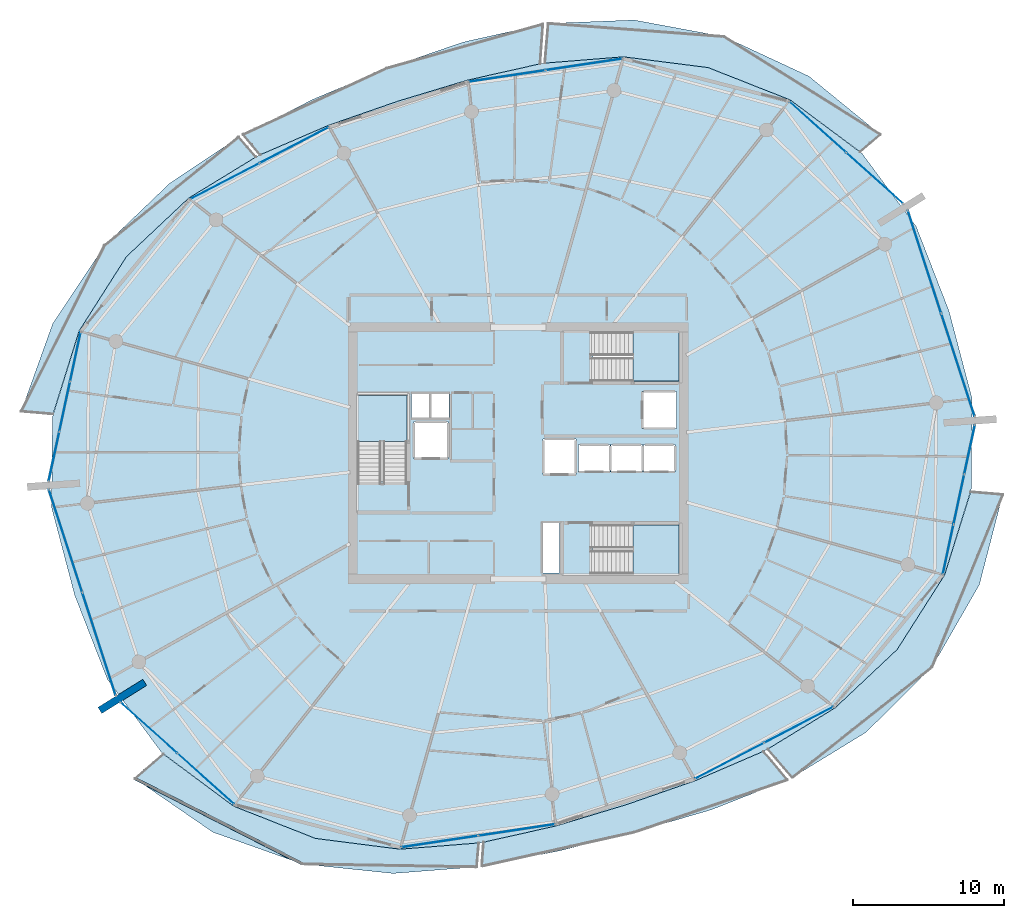
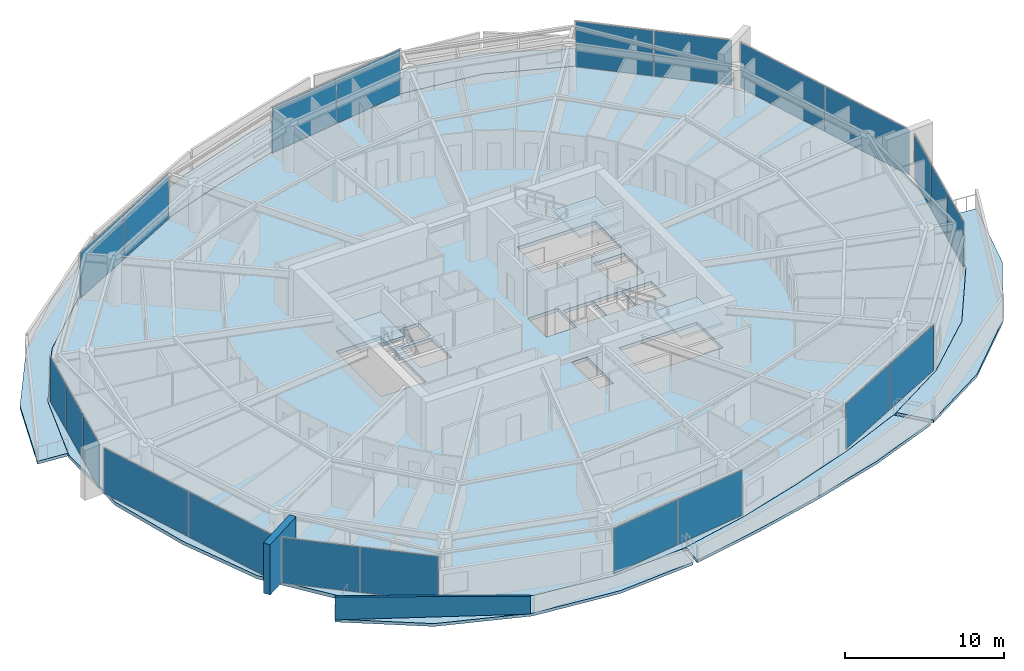
# One storey, part 16 of 29: 22 plates, 10 slabs, 2 walls, 13 elements without a shape of their own.
"""IFC4 building model written with IfcOpenShell, lengths in metres."""

from ifc_helpers import new_model, si_unit, direction, frame, frame_2d, origin, origin_2d, place, context, subcontext, project, spatial, polyline, rectangle, outline, extrude, material, layer, layer_set, type_object, element, aggregate, save


model = new_model("IFC4")

# Units and contexts
model_context = context("Model", 3, precision=1e-05, world=origin(), true_north=direction((0.0, 1.0)))
body_context = subcontext(model_context, "Body", "Model", "MODEL_VIEW")
ifc_project = project(units=[si_unit("LENGTHUNIT", "METRE"), si_unit("AREAUNIT", "SQUARE_METRE"), si_unit("VOLUMEUNIT", "CUBIC_METRE"), si_unit("PLANEANGLEUNIT", "RADIAN"), si_unit("MASSUNIT", "GRAM", prefix="KILO")], contexts=[model_context])

# Site, building, storey
site_placement = place(None, origin())
site = spatial("IfcSite", under=ifc_project, at=site_placement, CompositionType="ELEMENT")
building_placement = place(site_placement, origin())
building = spatial("IfcBuilding", under=site, at=building_placement, Name="Kazma Halo Residences", CompositionType="ELEMENT")
storey_placement = place(building_placement, frame((0.0, 0.0, 252.10009765625)))
storey = spatial("IfcBuildingStorey", under=building, at=storey_placement, Name="L63", CompositionType="ELEMENT", Elevation=252.10009765625)

# Curtain wall, plates
ifc_material_1 = material(Name="Aluminium AW-6063 T6 and Triple-Silver Low-E Glass", Category="aluminium")
ifc_layer_1 = layer(ifc_material_1, 0.139892578125)
ifc_layer_set_1 = layer_set([ifc_layer_1], Name="Aluminium AW-6063 T6 and Triple-Silver Low-E Glass")
curtain_wall_type = type_object("IfcCurtainWallType", Name="CW-SYS-5", PredefinedType="NOTDEFINED", material=ifc_layer_set_1)
curtain_wall_1_placement = place(storey_placement, origin())
curtain_wall_1 = element("IfcCurtainWall", 1, at=curtain_wall_1_placement, inside=storey, type_object=curtain_wall_type, Name="L63 unitised curtain wall B01", PredefinedType="NOTDEFINED")
ifc_material_2 = material(Name="Clear Triple-Silver Low-E Glass IGU", Category="glass")
ifc_layer_2 = layer(ifc_material_2, 0.02587890625)
ifc_layer_set_2 = layer_set([ifc_layer_2], Name="Clear Triple-Silver Low-E Glass IGU")
plate_type = type_object("IfcPlateType", Name="CW-SYS-5-PNL", PredefinedType="CURTAIN_PANEL", material=ifc_layer_set_2)
plate_1_placement = place(storey_placement, frame((72.002685546875, 60.179443359375, 0.06005859375), z_axis=(0.0, 0.0, 1.0), x_axis=(-0.744336424671, 0.667804826958, 0.0)))
plate_1 = element("IfcPlate", 2, at=plate_1_placement, type_object=plate_type, Name="CWS-5 panel 1.1", PredefinedType="CURTAIN_PANEL", context=body_context, shape_type="SweptSolid", body=[
    extrude(rectangle(XDim=4.993408203125, YDim=0.02587890625, at=origin_2d()), origin(), (0.0, 0.0, 1.0), 3.469970703125),
])
plate_2_placement = place(storey_placement, frame((68.2412109375, 63.55419921875, 0.06005859375), z_axis=(0.0, 0.0, 1.0), x_axis=(-0.744336424671, 0.667804826958, 0.0)))
plate_2 = element("IfcPlate", 3, at=plate_2_placement, type_object=plate_type, Name="CWS-5 panel 2.1", PredefinedType="CURTAIN_PANEL", context=body_context, shape_type="SweptSolid", body=[
    extrude(rectangle(XDim=4.993408203125, YDim=0.02587890625, at=origin_2d()), origin(), (0.0, 0.0, 1.0), 3.469970703125),
])
aggregate(curtain_wall_1, [plate_1, plate_2])

curtain_wall_2_placement = place(storey_placement, origin())
curtain_wall_2 = element("IfcCurtainWall", 4, at=curtain_wall_2_placement, inside=storey, type_object=curtain_wall_type, Name="L63 unitised curtain wall B03", PredefinedType="NOTDEFINED")
plate_3_placement = place(storey_placement, frame((52.77783203125, 67.70361328125, 0.06005859375), z_axis=(0.0, 0.0, 1.0), x_axis=(-0.988882792998, -0.148697080374, 0.0)))
plate_3 = element("IfcPlate", 5, at=plate_3_placement, type_object=plate_type, Name="CWS-5 panel 1.1", PredefinedType="CURTAIN_PANEL", context=body_context, shape_type="SweptSolid", body=[
    extrude(rectangle(XDim=5.099853515625, YDim=0.02587890625, at=origin_2d()), origin(), (0.0, 0.0, 1.0), 3.469970703125),
])
plate_4_placement = place(storey_placement, frame((47.67529296875, 66.936279296875, 0.06005859375), z_axis=(0.0, 0.0, 1.0), x_axis=(-0.988882792998, -0.148697080374, 0.0)))
plate_4 = element("IfcPlate", 6, at=plate_4_placement, type_object=plate_type, Name="CWS-5 panel 2.1", PredefinedType="CURTAIN_PANEL", context=body_context, shape_type="SweptSolid", body=[
    extrude(rectangle(XDim=5.099853515625, YDim=0.02587890625, at=origin_2d()), origin(), (0.0, 0.0, 1.0), 3.469970703125),
])
aggregate(curtain_wall_2, [plate_3, plate_4])

curtain_wall_3_placement = place(storey_placement, origin())
curtain_wall_3 = element("IfcCurtainWall", 7, at=curtain_wall_3_placement, inside=storey, type_object=curtain_wall_type, Name="L63 unitised curtain wall B05", PredefinedType="NOTDEFINED")
plate_5_placement = place(storey_placement, frame((33.60546875, 62.36474609375, 0.06005859375), z_axis=(0.0, 0.0, 1.0), x_axis=(-0.887420518694, -0.460960760804, 0.0)))
plate_5 = element("IfcPlate", 8, at=plate_5_placement, type_object=plate_type, Name="CWS-5 panel 1.1", PredefinedType="CURTAIN_PANEL", context=body_context, shape_type="SweptSolid", body=[
    extrude(rectangle(XDim=5.099609375, YDim=0.02587890625, at=origin_2d()), origin(), (0.0, 0.0, 1.0), 3.469970703125),
])
plate_6_placement = place(storey_placement, frame((29.026611328125, 59.986328125, 0.06005859375), z_axis=(0.0, 0.0, 1.0), x_axis=(-0.887420518694, -0.460960760804, 0.0)))
plate_6 = element("IfcPlate", 9, at=plate_6_placement, type_object=plate_type, Name="CWS-5 panel 2.1", PredefinedType="CURTAIN_PANEL", context=body_context, shape_type="SweptSolid", body=[
    extrude(rectangle(XDim=5.099609375, YDim=0.02587890625, at=origin_2d()), origin(), (0.0, 0.0, 1.0), 3.469970703125),
])
aggregate(curtain_wall_3, [plate_5, plate_6])

curtain_wall_4_placement = place(storey_placement, origin())
curtain_wall_4 = element("IfcCurtainWall", 10, at=curtain_wall_4_placement, inside=storey, type_object=curtain_wall_type, Name="L63 unitised curtain wall B07", PredefinedType="NOTDEFINED")
plate_7_placement = place(storey_placement, frame((19.133056640625, 48.36865234375, 0.06005859375), z_axis=(0.0, 0.0, 1.0), x_axis=(-0.209657382603, -0.97777491373, 0.0)))
plate_7 = element("IfcPlate", 11, at=plate_7_placement, type_object=plate_type, Name="CWS-5 panel 1.1", PredefinedType="CURTAIN_PANEL", context=body_context, shape_type="SweptSolid", body=[
    extrude(rectangle(XDim=3.299072265625, YDim=0.02587890625, at=origin_2d()), origin(), (0.0, 0.0, 1.0), 3.469970703125),
])
plate_8_placement = place(storey_placement, frame((18.42578125, 45.069580078125, 0.06005859375), z_axis=(0.0, 0.0, 1.0), x_axis=(-0.209657382603, -0.97777491373, 0.0)))
plate_8 = element("IfcPlate", 12, at=plate_8_placement, type_object=plate_type, Name="CWS-5 panel 2.1", PredefinedType="CURTAIN_PANEL", context=body_context, shape_type="SweptSolid", body=[
    extrude(rectangle(XDim=3.3291015625, YDim=0.02587890625, at=origin_2d()), origin(), (0.0, 0.0, 1.0), 3.469970703125),
])
plate_9_placement = place(storey_placement, frame((17.71826171875, 41.7705078125, 0.06005859375), z_axis=(0.0, 0.0, 1.0), x_axis=(-0.209657382603, -0.97777491373, 0.0)))
plate_9 = element("IfcPlate", 13, at=plate_9_placement, type_object=plate_type, Name="CWS-5 panel 3.1", PredefinedType="CURTAIN_PANEL", context=body_context, shape_type="SweptSolid", body=[
    extrude(rectangle(XDim=3.299072265625, YDim=0.02587890625, at=origin_2d()), origin(), (0.0, 0.0, 1.0), 3.469970703125),
])
aggregate(curtain_wall_4, [plate_7, plate_8, plate_9])

curtain_wall_5_placement = place(storey_placement, origin())
curtain_wall_5 = element("IfcCurtainWall", 14, at=curtain_wall_5_placement, inside=storey, type_object=curtain_wall_type, Name="L63 unitised curtain wall B08", PredefinedType="NOTDEFINED")
plate_10_placement = place(storey_placement, frame((18.48486328125, 36.1787109375, 0.06005859375), z_axis=(0.0, 0.0, 1.0), x_axis=(0.309010998786, -0.951058464359, 0.0)))
plate_10 = element("IfcPlate", 15, at=plate_10_placement, type_object=plate_type, Name="CWS-5 panel 1.1", PredefinedType="CURTAIN_PANEL", context=body_context, shape_type="SweptSolid", body=[
    extrude(rectangle(XDim=7.108642578125, YDim=0.02587890625, at=origin_2d()), origin(), (0.0, 0.0, 1.0), 3.469970703125),
])
plate_11_placement = place(storey_placement, frame((20.699951171875, 29.36083984375, 0.06005859375), z_axis=(0.0, 0.0, 1.0), x_axis=(0.309010998786, -0.951058464359, 0.0)))
plate_11 = element("IfcPlate", 16, at=plate_11_placement, type_object=plate_type, Name="CWS-5 panel 2.1", PredefinedType="CURTAIN_PANEL", context=body_context, shape_type="SweptSolid", body=[
    extrude(rectangle(XDim=7.108642578125, YDim=0.02587890625, at=origin_2d()), origin(), (0.0, 0.0, 1.0), 3.469970703125),
])
aggregate(curtain_wall_5, [plate_10, plate_11])

curtain_wall_6_placement = place(storey_placement, origin())
curtain_wall_6 = element("IfcCurtainWall", 17, at=curtain_wall_6_placement, inside=storey, type_object=curtain_wall_type, Name="L63 unitised curtain wall B09", PredefinedType="NOTDEFINED")
plate_12_placement = place(storey_placement, frame((23.997314453125, 23.820556640625, 0.06005859375), z_axis=(0.0, 0.0, 1.0), x_axis=(0.744336424671, -0.667804826958, 0.0)))
plate_12 = element("IfcPlate", 18, at=plate_12_placement, type_object=plate_type, Name="CWS-5 panel 1.1", PredefinedType="CURTAIN_PANEL", context=body_context, shape_type="SweptSolid", body=[
    extrude(rectangle(XDim=4.993408203125, YDim=0.02587890625, at=origin_2d()), origin(), (0.0, 0.0, 1.0), 3.469970703125),
])
plate_13_placement = place(storey_placement, frame((27.7587890625, 20.44580078125, 0.06005859375), z_axis=(0.0, 0.0, 1.0), x_axis=(0.744336424671, -0.667804826958, 0.0)))
plate_13 = element("IfcPlate", 19, at=plate_13_placement, type_object=plate_type, Name="CWS-5 panel 2.1", PredefinedType="CURTAIN_PANEL", context=body_context, shape_type="SweptSolid", body=[
    extrude(rectangle(XDim=4.993408203125, YDim=0.02587890625, at=origin_2d()), origin(), (0.0, 0.0, 1.0), 3.469970703125),
])
aggregate(curtain_wall_6, [plate_12, plate_13])

curtain_wall_7_placement = place(storey_placement, origin())
curtain_wall_7 = element("IfcCurtainWall", 20, at=curtain_wall_7_placement, inside=storey, type_object=curtain_wall_type, Name="L63 unitised curtain wall B11", PredefinedType="NOTDEFINED")
plate_14_placement = place(storey_placement, frame((43.22216796875, 16.29638671875, 0.06005859375), z_axis=(0.0, 0.0, 1.0), x_axis=(0.988882792998, 0.148697080374, 0.0)))
plate_14 = element("IfcPlate", 21, at=plate_14_placement, type_object=plate_type, Name="CWS-5 panel 1.1", PredefinedType="CURTAIN_PANEL", context=body_context, shape_type="SweptSolid", body=[
    extrude(rectangle(XDim=5.099853515625, YDim=0.02587890625, at=origin_2d()), origin(), (0.0, 0.0, 1.0), 3.469970703125),
])
plate_15_placement = place(storey_placement, frame((48.32470703125, 17.063720703125, 0.06005859375), z_axis=(0.0, 0.0, 1.0), x_axis=(0.988882792998, 0.148697080374, 0.0)))
plate_15 = element("IfcPlate", 22, at=plate_15_placement, type_object=plate_type, Name="CWS-5 panel 2.1", PredefinedType="CURTAIN_PANEL", context=body_context, shape_type="SweptSolid", body=[
    extrude(rectangle(XDim=5.099853515625, YDim=0.02587890625, at=origin_2d()), origin(), (0.0, 0.0, 1.0), 3.469970703125),
])
aggregate(curtain_wall_7, [plate_14, plate_15])

curtain_wall_8_placement = place(storey_placement, origin())
curtain_wall_8 = element("IfcCurtainWall", 23, at=curtain_wall_8_placement, inside=storey, type_object=curtain_wall_type, Name="L63 unitised curtain wall B13", PredefinedType="NOTDEFINED")
plate_16_placement = place(storey_placement, frame((62.39453125, 21.63525390625, 0.06005859375), z_axis=(0.0, 0.0, 1.0), x_axis=(0.887420518694, 0.460960760804, 0.0)))
plate_16 = element("IfcPlate", 24, at=plate_16_placement, type_object=plate_type, Name="CWS-5 panel 1.1", PredefinedType="CURTAIN_PANEL", context=body_context, shape_type="SweptSolid", body=[
    extrude(rectangle(XDim=5.099609375, YDim=0.02587890625, at=origin_2d()), origin(), (0.0, 0.0, 1.0), 3.469970703125),
])
plate_17_placement = place(storey_placement, frame((66.973388671875, 24.013671875, 0.06005859375), z_axis=(0.0, 0.0, 1.0), x_axis=(0.887420518694, 0.460960760804, 0.0)))
plate_17 = element("IfcPlate", 25, at=plate_17_placement, type_object=plate_type, Name="CWS-5 panel 2.1", PredefinedType="CURTAIN_PANEL", context=body_context, shape_type="SweptSolid", body=[
    extrude(rectangle(XDim=5.099609375, YDim=0.02587890625, at=origin_2d()), origin(), (0.0, 0.0, 1.0), 3.469970703125),
])
aggregate(curtain_wall_8, [plate_16, plate_17])

curtain_wall_9_placement = place(storey_placement, origin())
curtain_wall_9 = element("IfcCurtainWall", 26, at=curtain_wall_9_placement, inside=storey, type_object=curtain_wall_type, Name="L63 unitised curtain wall B15", PredefinedType="NOTDEFINED")
plate_18_placement = place(storey_placement, frame((76.866943359375, 35.63134765625, 0.06005859375), z_axis=(0.0, 0.0, 1.0), x_axis=(0.209657382603, 0.97777491373, 0.0)))
plate_18 = element("IfcPlate", 27, at=plate_18_placement, type_object=plate_type, Name="CWS-5 panel 1.1", PredefinedType="CURTAIN_PANEL", context=body_context, shape_type="SweptSolid", body=[
    extrude(rectangle(XDim=3.299072265625, YDim=0.02587890625, at=origin_2d()), origin(), (0.0, 0.0, 1.0), 3.469970703125),
])
plate_19_placement = place(storey_placement, frame((77.57421875, 38.930419921875, 0.06005859375), z_axis=(0.0, 0.0, 1.0), x_axis=(0.209657382603, 0.97777491373, 0.0)))
plate_19 = element("IfcPlate", 28, at=plate_19_placement, type_object=plate_type, Name="CWS-5 panel 2.1", PredefinedType="CURTAIN_PANEL", context=body_context, shape_type="SweptSolid", body=[
    extrude(rectangle(XDim=3.3291015625, YDim=0.02587890625, at=origin_2d()), origin(), (0.0, 0.0, 1.0), 3.469970703125),
])
plate_20_placement = place(storey_placement, frame((78.28173828125, 42.2294921875, 0.06005859375), z_axis=(0.0, 0.0, 1.0), x_axis=(0.209657382603, 0.97777491373, 0.0)))
plate_20 = element("IfcPlate", 29, at=plate_20_placement, type_object=plate_type, Name="CWS-5 panel 3.1", PredefinedType="CURTAIN_PANEL", context=body_context, shape_type="SweptSolid", body=[
    extrude(rectangle(XDim=3.299072265625, YDim=0.02587890625, at=origin_2d()), origin(), (0.0, 0.0, 1.0), 3.469970703125),
])
aggregate(curtain_wall_9, [plate_18, plate_19, plate_20])

curtain_wall_10_placement = place(storey_placement, origin())
curtain_wall_10 = element("IfcCurtainWall", 30, at=curtain_wall_10_placement, inside=storey, type_object=curtain_wall_type, Name="L63 unitised curtain wall B16", PredefinedType="NOTDEFINED")
plate_21_placement = place(storey_placement, frame((77.51513671875, 47.8212890625, 0.06005859375), z_axis=(0.0, 0.0, 1.0), x_axis=(-0.309010998786, 0.951058464359, 0.0)))
plate_21 = element("IfcPlate", 31, at=plate_21_placement, type_object=plate_type, Name="CWS-5 panel 1.1", PredefinedType="CURTAIN_PANEL", context=body_context, shape_type="SweptSolid", body=[
    extrude(rectangle(XDim=7.108642578125, YDim=0.02587890625, at=origin_2d()), origin(), (0.0, 0.0, 1.0), 3.469970703125),
])
plate_22_placement = place(storey_placement, frame((75.300048828125, 54.63916015625, 0.06005859375), z_axis=(0.0, 0.0, 1.0), x_axis=(-0.309010998786, 0.951058464359, 0.0)))
plate_22 = element("IfcPlate", 32, at=plate_22_placement, type_object=plate_type, Name="CWS-5 panel 2.1", PredefinedType="CURTAIN_PANEL", context=body_context, shape_type="SweptSolid", body=[
    extrude(rectangle(XDim=7.108642578125, YDim=0.02587890625, at=origin_2d()), origin(), (0.0, 0.0, 1.0), 3.469970703125),
])
aggregate(curtain_wall_10, [plate_21, plate_22])

# Slabs
ifc_material_3 = material(Name="White Concrete C50/60", Category="concrete")
ifc_layer_3 = layer(ifc_material_3, 0.219970703125)
ifc_layer_set_3 = layer_set([ifc_layer_3], Name="White Concrete C50/60")
slab_type_1 = type_object("IfcSlabType", Name="SLB-BAL-WAVE-210", PredefinedType="FLOOR", material=ifc_layer_set_3)
slab_1_placement = place(storey_placement, frame((0.0, 0.0, -0.22021484375)))
element("IfcSlab", 33, at=slab_1_placement, inside=storey, type_object=slab_type_1, Name="L63 NE cantilevered wave balcony slab", PredefinedType="FLOOR", context=body_context, shape_type="SweptSolid", body=[
    extrude(outline(polyline([(71.0400390625, 61.9228515625), (66.41357421875, 65.357421875), (60.990478515625, 67.49560546875), (55.3916015625, 68.208984375), (50.188720703125, 67.794189453125), (50.410888671875, 70.414794921875), (56.07861328125, 70.644287109375), (62.033447265625, 69.5419921875), (67.6494140625, 66.92529296875), (72.371337890625, 63.073974609375), (71.0400390625, 61.9228515625)])), origin(), (0.0, 0.0, 1.0), 0.22021484375),
])
slab_2_placement = place(storey_placement, frame((0.0, 0.0, -0.22021484375)))
element("IfcSlab", 34, at=slab_2_placement, inside=storey, type_object=slab_type_1, Name="L63 NNW cantilevered wave balcony slab", PredefinedType="FLOOR", context=body_context, shape_type="SweptSolid", body=[
    extrude(outline(polyline([(49.8681640625, 67.74609375), (45.080078125, 66.66943359375), (40.43994140625, 65.267333984375), (35.86181640625, 63.67431640625), (31.35546875, 61.731201171875), (30.230712890625, 63.064453125), (34.88623046875, 65.416259765625), (39.730224609375, 67.451904296875), (44.78271484375, 69.182373046875), (50.05810546875, 70.364501953125), (49.8681640625, 67.74609375)])), origin(), (0.0, 0.0, 1.0), 0.22021484375),
])
slab_3_placement = place(storey_placement, frame((0.0, 0.0, -0.22021484375)))
element("IfcSlab", 35, at=slab_3_placement, inside=storey, type_object=slab_type_1, Name="L63 NW cantilevered wave balcony slab", PredefinedType="FLOOR", context=body_context, shape_type="SweptSolid", body=[
    extrude(outline(polyline([(31.06787109375, 61.58154296875), (26.614501953125, 58.85888671875), (22.50439453125, 54.990478515625), (19.3740234375, 50.0732421875), (17.64990234375, 44.5751953125), (15.5458984375, 44.75390625), (17.6328125, 50.564453125), (21.063232421875, 55.72509765625), (25.36767578125, 59.842041015625), (29.9326171875, 62.89453125), (31.06787109375, 61.58154296875)])), origin(), (0.0, 0.0, 1.0), 0.22021484375),
])
slab_4_placement = place(storey_placement, frame((0.0, 0.0, -0.22021484375)))
element("IfcSlab", 36, at=slab_4_placement, inside=storey, type_object=slab_type_1, Name="L63 SW cantilevered wave balcony slab", PredefinedType="FLOOR", context=body_context, shape_type="SweptSolid", body=[
    extrude(outline(polyline([(24.9599609375, 22.0771484375), (29.58642578125, 18.642578125), (35.009521484375, 16.50439453125), (40.6083984375, 15.791015625), (45.811279296875, 16.205810546875), (45.677001953125, 14.62109375), (40.15625, 14.187744140625), (34.147216796875, 14.8125), (28.224853515625, 16.915283203125), (23.08251953125, 20.453857421875), (24.9599609375, 22.0771484375)])), origin(), (0.0, 0.0, 1.0), 0.22021484375),
])
slab_5_placement = place(storey_placement, frame((0.0, 0.0, -0.22021484375)))
element("IfcSlab", 37, at=slab_5_placement, inside=storey, type_object=slab_type_1, Name="L63 SSE cantilevered wave balcony slab", PredefinedType="FLOOR", context=body_context, shape_type="SweptSolid", body=[
    extrude(outline(polyline([(46.1318359375, 16.25390625), (50.919921875, 17.33056640625), (55.56005859375, 18.732666015625), (60.13818359375, 20.32568359375), (64.64453125, 22.268798828125), (66.23486328125, 20.3837890625), (61.212890625, 18.40673828125), (56.146728515625, 16.926513671875), (51.115478515625, 15.676513671875), (46.01708984375, 14.672607421875), (46.1318359375, 16.25390625)])), origin(), (0.0, 0.0, 1.0), 0.22021484375),
])
slab_6_placement = place(storey_placement, frame((0.0, 0.0, -0.22021484375)))
element("IfcSlab", 38, at=slab_6_placement, inside=storey, type_object=slab_type_1, Name="L63 SE cantilevered wave balcony slab", PredefinedType="FLOOR", context=body_context, shape_type="SweptSolid", body=[
    extrude(outline(polyline([(64.93212890625, 22.41845703125), (69.385498046875, 25.14111328125), (73.49560546875, 29.009521484375), (76.6259765625, 33.9267578125), (78.35009765625, 39.4248046875), (80.472900390625, 39.24462890625), (78.923095703125, 33.27880859375), (75.79296875, 27.8388671875), (71.43359375, 23.526611328125), (66.55712890625, 20.5390625), (64.93212890625, 22.41845703125)])), origin(), (0.0, 0.0, 1.0), 0.22021484375),
])
ifc_material_4 = material(Name="Concrete C50/60", Category="concrete")
ifc_layer_4 = layer(ifc_material_4, 0.260009765625)
ifc_layer_set_4 = layer_set([ifc_layer_4], Name="Concrete C50/60")
slab_type_2 = type_object("IfcSlabType", Name="SLB-RES-260", PredefinedType="FLOOR", material=ifc_layer_set_4)
slab_7_placement = place(storey_placement, frame((0.0, 0.0, -0.260009765625)))
element("IfcSlab", 39, at=slab_7_placement, inside=storey, type_object=slab_type_2, Name="L63 structural floor slab", PredefinedType="FLOOR", context=body_context, shape_type="SweptSolid", body=[
    extrude(outline(polyline([(76.9189453125, 51.396240234375), (74.749755859375, 56.980712890625), (71.180419921875, 61.7978515625), (66.412109375, 65.355712890625), (60.98974609375, 67.49365234375), (55.39111328125, 68.207275390625), (50.02880859375, 67.7783203125), (45.080322265625, 66.66748046875), (40.440673828125, 65.265380859375), (35.86279296875, 63.672607421875), (31.20654296875, 61.66259765625), (26.6162109375, 58.857666015625), (22.50634765625, 54.98974609375), (19.3759765625, 50.07275390625), (17.60986328125, 44.391845703125), (17.5537109375, 38.396484375), (19.0810546875, 32.603759765625), (21.250244140625, 27.019287109375), (24.819580078125, 22.2021484375), (29.587890625, 18.644287109375), (35.01025390625, 16.50634765625), (40.60888671875, 15.792724609375), (45.97119140625, 16.2216796875), (50.919677734375, 17.33251953125), (55.559326171875, 18.734619140625), (60.13720703125, 20.327392578125), (64.79345703125, 22.33740234375), (69.3837890625, 25.142333984375), (73.49365234375, 29.01025390625), (76.6240234375, 33.92724609375), (78.39013671875, 39.608154296875), (78.4462890625, 45.603515625), (76.9189453125, 51.396240234375)]), holes=[polyline([(37.800048828125, 40.110107421875), (41.050048828125, 40.110107421875), (41.050048828125, 45.800048828125), (37.800048828125, 45.800048828125), (37.800048828125, 40.110107421875)]), polyline([(53.360107421875, 46.75), (59.050048828125, 46.75), (59.050048828125, 50.0), (53.360107421875, 50.0), (53.360107421875, 46.75)]), polyline([(53.360107421875, 34.0), (59.050048828125, 34.0), (59.050048828125, 37.25), (53.360107421875, 37.25), (53.360107421875, 34.0)]), polyline([(41.52001953125, 41.6201171875), (43.780029296875, 41.6201171875), (43.780029296875, 44.080078125), (41.52001953125, 44.080078125), (41.52001953125, 41.6201171875)]), polyline([(56.6201171875, 43.6201171875), (58.8798828125, 43.6201171875), (58.8798828125, 46.080078125), (56.6201171875, 46.080078125), (56.6201171875, 43.6201171875)]), polyline([(52.39501953125, 40.7451171875), (54.5048828125, 40.7451171875), (54.5048828125, 42.554931640625), (52.39501953125, 42.554931640625), (52.39501953125, 40.7451171875)]), polyline([(54.544921875, 40.7451171875), (56.655029296875, 40.7451171875), (56.655029296875, 42.554931640625), (54.544921875, 42.554931640625), (54.544921875, 40.7451171875)]), polyline([(56.695068359375, 40.7451171875), (58.804931640625, 40.7451171875), (58.804931640625, 42.554931640625), (56.695068359375, 42.554931640625), (56.695068359375, 40.7451171875)]), polyline([(50.070068359375, 40.570068359375), (52.22998046875, 40.570068359375), (52.22998046875, 42.929931640625), (50.070068359375, 42.929931640625), (50.070068359375, 40.570068359375)]), polyline([(41.360107421875, 44.340087890625), (42.5400390625, 44.340087890625), (42.5400390625, 45.89990234375), (41.360107421875, 45.89990234375), (41.360107421875, 44.340087890625)]), polyline([(42.659912109375, 44.340087890625), (43.840087890625, 44.340087890625), (43.840087890625, 45.89990234375), (42.659912109375, 45.89990234375), (42.659912109375, 44.340087890625)]), polyline([(50.06005859375, 34.080078125), (51.159912109375, 34.080078125), (51.159912109375, 37.3798828125), (50.06005859375, 37.3798828125), (50.06005859375, 34.080078125)])]), origin(), (0.0, 0.0, 1.0), 0.260009765625),
])

# Stair, slab
stair_type = type_object("IfcStairType", Name="STR-RES2", PredefinedType="HALF_TURN_STAIR", material=ifc_material_4)
stair_1_placement = place(storey_placement, origin())
stair_1 = element("IfcStair", 40, at=stair_1_placement, inside=storey, type_object=stair_type, Name="L63 Core exit stair ST-01", PredefinedType="HALF_TURN_STAIR")
ifc_layer_5 = layer(ifc_material_4, 0.199951171875)
ifc_layer_set_5 = layer_set([ifc_layer_5], Name="Concrete C50/60")
slab_type_3 = type_object("IfcSlabType", Name="SLB-STAIR-LND-200", PredefinedType="LANDING", material=ifc_layer_set_5)
slab_8_placement = place(storey_placement, frame((0.0, 0.0, 1.724853515625)))
slab_8 = element("IfcSlab", 41, at=slab_8_placement, type_object=slab_type_3, Name="ST-01 landing 1", PredefinedType="LANDING", context=body_context, shape_type="SweptSolid", body=[
    extrude(outline(polyline([(41.050048828125, 42.75), (41.050048828125, 45.800048828125), (37.800048828125, 45.800048828125), (37.800048828125, 42.75), (41.050048828125, 42.75)])), origin(), (0.0, 0.0, 1.0), 0.199951171875),
])
aggregate(stair_1, [slab_8])

stair_2_placement = place(storey_placement, origin())
stair_2 = element("IfcStair", 42, at=stair_2_placement, inside=storey, type_object=stair_type, Name="L63 Core exit stair ST-02", PredefinedType="HALF_TURN_STAIR")
slab_9_placement = place(storey_placement, frame((0.0, 0.0, 1.724853515625)))
slab_9 = element("IfcSlab", 43, at=slab_9_placement, type_object=slab_type_3, Name="ST-02 landing 1", PredefinedType="LANDING", context=body_context, shape_type="SweptSolid", body=[
    extrude(outline(polyline([(56.0, 46.75), (59.050048828125, 46.75), (59.050048828125, 50.0), (56.0, 50.0), (56.0, 46.75)])), origin(), (0.0, 0.0, 1.0), 0.199951171875),
])
aggregate(stair_2, [slab_9])

stair_3_placement = place(storey_placement, origin())
stair_3 = element("IfcStair", 44, at=stair_3_placement, inside=storey, type_object=stair_type, Name="L63 Core exit stair ST-03", PredefinedType="HALF_TURN_STAIR")
slab_10_placement = place(storey_placement, frame((0.0, 0.0, 1.724853515625)))
slab_10 = element("IfcSlab", 45, at=slab_10_placement, type_object=slab_type_3, Name="ST-03 landing 1", PredefinedType="LANDING", context=body_context, shape_type="SweptSolid", body=[
    extrude(outline(polyline([(56.0, 34.0), (59.050048828125, 34.0), (59.050048828125, 37.25), (56.0, 37.25), (56.0, 34.0)])), origin(), (0.0, 0.0, 1.0), 0.199951171875),
])
aggregate(stair_3, [slab_10])

# Walls
ifc_material_5 = material(Name="White Concrete C50/60 Balustrade", Category="concrete")
ifc_layer_6 = layer(ifc_material_5, 0.179931640625)
ifc_layer_set_6 = layer_set([ifc_layer_6], Name="White Concrete C50/60 Balustrade")
wall_type_1 = type_object("IfcWallType", Name="WL-BAL-WAVE-180", PredefinedType="PARAPET", material=ifc_layer_set_6)
wall_1_placement = place(storey_placement, frame((23.08251953125, 20.453857421875, 0.0), z_axis=(0.0, 0.0, 1.0), x_axis=(0.890886303028, -0.454226369861, 0.0)))
element("IfcWall", 46, at=wall_1_placement, inside=storey, type_object=wall_type_1, Name="L63 white wave balustrade wall SW.1", PredefinedType="PARAPET", context=body_context, shape_type="SweptSolid", body=[
    extrude(outline(polyline([(0.0, 0.0), (12.2998046875, 0.0), (12.2998046875, 1.347900390625), (6.14990234375, 1.56201171875), (0.0, 1.746826171875), (0.0, 0.0)])), frame((0.0, 0.08984375, 0.0), z_axis=(0.0, -1.0, 0.0), x_axis=(1.0, 0.0, 0.0)), (0.0, 0.0, 1.0), 0.179931640625),
])
ifc_material_6 = material(Name="Pale Concrete C60/75", Category="concrete")
ifc_layer_7 = layer(ifc_material_6, 0.47998046875)
ifc_layer_set_7 = layer_set([ifc_layer_7], Name="Pale Concrete C60/75")
wall_type_2 = type_object("IfcWallType", Name="WL-BLADE-480", PredefinedType="SOLIDWALL", material=ifc_layer_set_7)
wall_2_placement = place(storey_placement, frame((23.718505859375, 26.827392578125, 0.0), z_axis=(0.0, 0.0, 1.0), x_axis=(-0.848033572426, -0.529942506352, 0.0)))
element("IfcWall", 47, at=wall_2_placement, inside=storey, type_object=wall_type_2, Name="L63 pale concrete structural blade fin wall BW-03", PredefinedType="SOLIDWALL", context=body_context, shape_type="SweptSolid", body=[
    extrude(rectangle(XDim=3.5, YDim=0.47998046875, at=frame_2d((1.75, 0.0))), origin(), (0.0, 0.0, 1.0), 3.849853515625),
])

save(model, "model.ifc")
